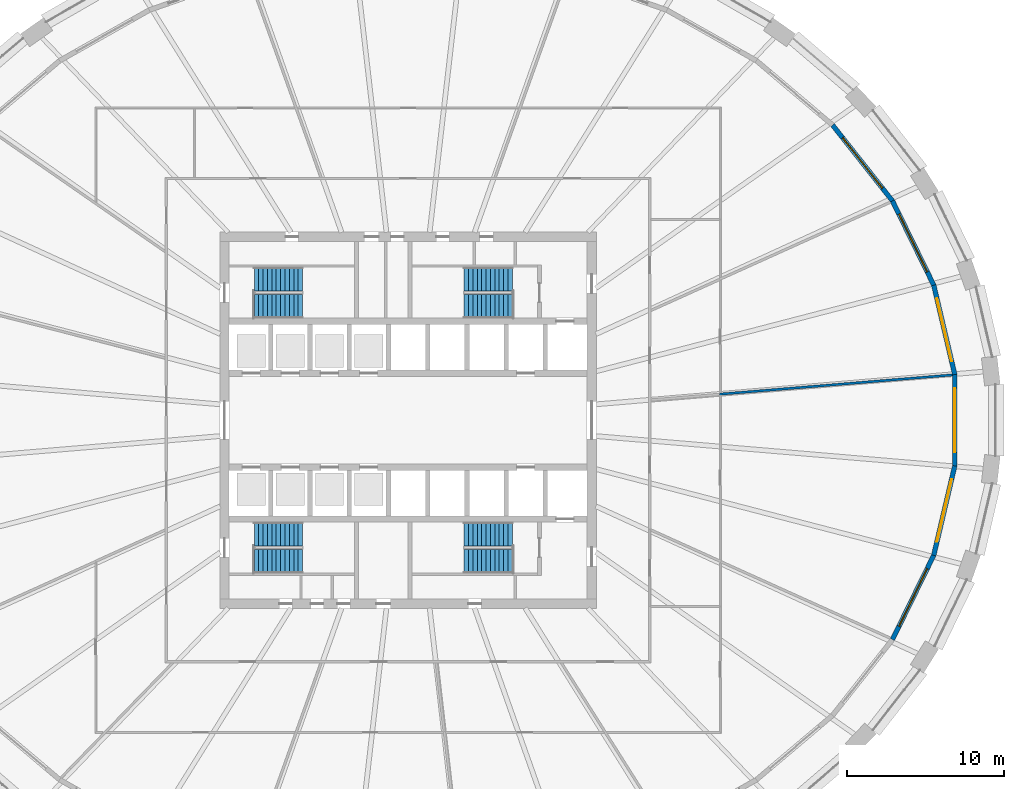
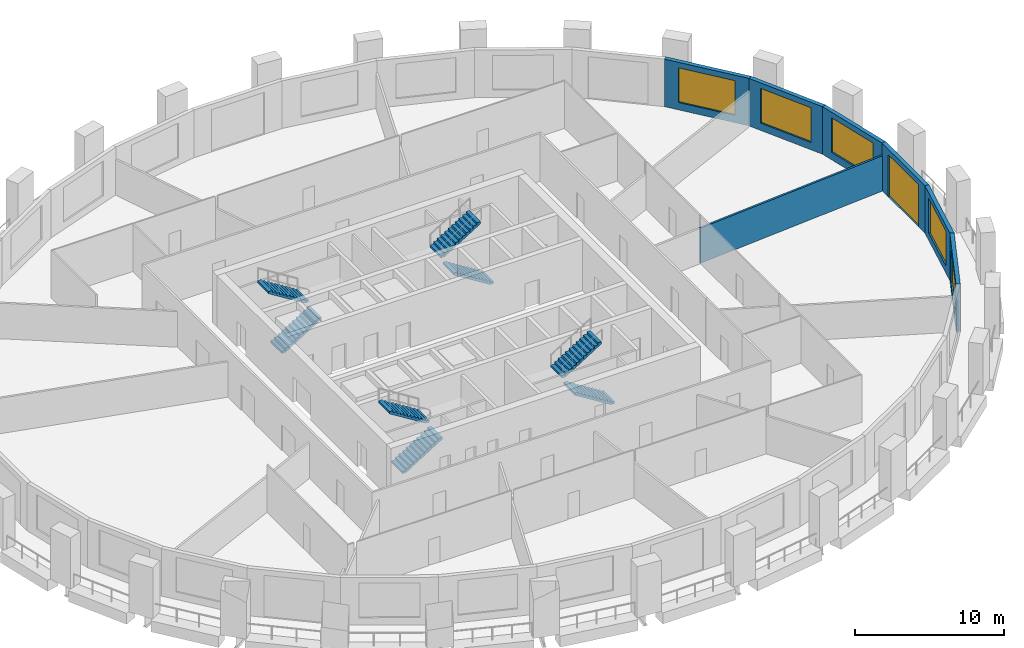
# One storey, part 8 of 11: 8 stair flights, 7 walls, 5 windows, 1 door, 6 openings, 4 elements without a shape of their own.
"""IFC4 building model written with IfcOpenShell, lengths in metres."""

from ifc_helpers import new_model, si_unit, direction, frame, frame_2d, origin, place, context, subcontext, project, spatial, polyline, rectangle, outline, extrude, material, layer, layer_set, type_object, element, fill, aggregate, save


model = new_model("IFC4")

# Units and contexts
model_context = context("Model", 3, precision=1e-05, world=origin(), true_north=direction((0.0, 1.0)))
body_context = subcontext(model_context, "Body", "Model", "MODEL_VIEW")
ifc_project = project(units=[si_unit("LENGTHUNIT", "METRE"), si_unit("AREAUNIT", "SQUARE_METRE"), si_unit("VOLUMEUNIT", "CUBIC_METRE"), si_unit("PLANEANGLEUNIT", "RADIAN"), si_unit("MASSUNIT", "GRAM", prefix="KILO")], contexts=[model_context])

# Site, building, storey
site_placement = place(None, origin())
site = spatial("IfcSite", under=ifc_project, at=site_placement, CompositionType="ELEMENT")
building_placement = place(site_placement, origin())
building = spatial("IfcBuilding", under=site, at=building_placement, Name="Halqa Exchange Tower", CompositionType="ELEMENT")
storey_placement = place(building_placement, frame((0.0, 0.0, 44.5)))
storey = spatial("IfcBuildingStorey", under=building, at=storey_placement, Name="L09", CompositionType="ELEMENT", Elevation=44.5)

# Wall
ifc_material_1 = material(Name="Fire-rated gypsum board")
ifc_layer_1 = layer(ifc_material_1, 0.14990234375)
ifc_layer_set_1 = layer_set([ifc_layer_1], Name="Fire-rated gypsum board")
wall_type_1 = type_object("IfcWallType", Name="Fire partition EI 60 150", PredefinedType="PARTITIONING", material=ifc_layer_set_1)
wall_1_placement = place(storey_placement, frame((19.85009765625, 1.656005859375, 0.0), z_axis=(0.0, 0.0, 1.0), x_axis=(0.996587936268, 0.082537780956, 0.0)))
element("IfcWall", 1, at=wall_1_placement, inside=storey, type_object=wall_type_1, Name="L09-PWL-036", PredefinedType="PARTITIONING", context=body_context, shape_type="SweptSolid", body=[
    extrude(outline(polyline([(14.88427734375, -0.074951171875), (14.88427734375, 0.0498046875), (14.880615234375, 0.074951171875), (13.0205078125, 0.074951171875), (11.160400390625, 0.074951171875), (9.30029296875, 0.074951171875), (7.440185546875, 0.074951171875), (5.580078125, 0.074951171875), (3.72021484375, 0.074951171875), (1.860107421875, 0.074951171875), (0.0, 0.074951171875), (0.0, -0.067626953125), (0.087158203125, -0.074951171875), (1.936767578125, -0.074951171875), (3.786376953125, -0.074951171875), (5.635986328125, -0.074951171875), (7.485595703125, -0.074951171875), (9.33544921875, -0.074951171875), (11.18505859375, -0.074951171875), (13.03466796875, -0.074951171875), (14.88427734375, -0.074951171875)])), origin(), (0.0, 0.0, 1.0), 2.89208984375),
])

# Wall, opening, window
ifc_material_2 = material(Name="Limestone cladding", Category="masonry")
ifc_layer_2 = layer(ifc_material_2, 0.0400390625)
ifc_material_3 = material(Name="Ventilated cavity")
ifc_layer_3 = layer(ifc_material_3, 0.030029296875, ventilated=True)
ifc_material_4 = material(Name="Mineral wool insulation")
ifc_layer_4 = layer(ifc_material_4, 0.10009765625)
ifc_material_5 = material(Name="Concrete C30/37", Category="concrete")
ifc_layer_5 = layer(ifc_material_5, 0.10009765625)
ifc_material_6 = material(Name="Internal plaster")
ifc_layer_6 = layer(ifc_material_6, 0.030029296875)
ifc_layer_set_2 = layer_set([ifc_layer_2, ifc_layer_3, ifc_layer_4, ifc_layer_5, ifc_layer_6], Name="Stone-faced insulated wall 300")
wall_type_2 = type_object("IfcWallType", Name="Stone-faced insulated wall 300", PredefinedType="STANDARD", material=ifc_layer_set_2)
wall_2_placement = place(storey_placement, frame((34.840087890625, 2.90673828125, 0.0), z_axis=(0.0, 0.0, 1.0), x_axis=(-0.228976600496, 0.97343192696, 0.0)))
wall_2 = element("IfcWall", 2, at=wall_2_placement, inside=storey, type_object=wall_type_2, Name="Glass-line wall 1", PredefinedType="STANDARD", context=body_context, shape_type="SweptSolid", body=[
    extrude(outline(polyline([(-0.017333984375, -0.14990234375), (5.87353515625, -0.14990234375), (5.83984375, 0.14990234375), (0.017333984375, 0.14990234375), (-0.017333984375, -0.14990234375)])), origin(), (0.0, 0.0, 1.0), 3.89990234375),
])
opening_1_placement = place(wall_2_placement, frame((0.87841796875, 0.0, 0.60009765625)))
opening_1 = element("IfcOpeningElement", 3, at=opening_1_placement, cuts=wall_2, Name="Opening W-F1-01", PredefinedType="OPENING", context=body_context, shape_type="SweptSolid", body=[
    extrude(rectangle(XDim=4.10009765625, YDim=2.85009765625, at=frame_2d((2.050048828125, 1.425048828125))), frame((0.0, 0.162109375, 0.0), z_axis=(0.0, -1.0, 0.0), x_axis=(1.0, 0.0, 0.0)), (0.0, 0.0, 1.0), 0.323974609375),
])
ifc_material_7 = material(Name="Clear low-emissivity glass in aluminium frame", Category="aluminium")
window_type = type_object("IfcWindowType", Name="Fixed clear glazed window 4100 x 2850", PartitioningType="TRIPLE_PANEL_VERTICAL", PredefinedType="WINDOW", material=ifc_material_7)
window_1_placement = place(opening_1_placement, origin())
window_1 = element("IfcWindow", 4, at=window_1_placement, inside=storey, type_object=window_type, Name="Window 1", OverallHeight=2.85009765625, OverallWidth=4.10009765625, PartitioningType="TRIPLE_PANEL_VERTICAL", PredefinedType="WINDOW", context=body_context, shape_type="SweptSolid", body=[
    extrude(rectangle(XDim=4.10009765625, YDim=2.85009765625, at=frame_2d((2.050048828125, 1.425048828125))), frame((0.0, 0.030029296875, 0.0), z_axis=(0.0, -1.0, 0.0), x_axis=(1.0, 0.0, 0.0)), (0.0, 0.0, 1.0), 0.06005859375),
])
fill(opening_1, window_1)

wall_3_placement = place(storey_placement, frame((33.4990234375, 8.60791015625, 0.0), z_axis=(0.0, 0.0, 1.0), x_axis=(-0.439896354052, 0.898048549741, 0.0)))
wall_3 = element("IfcWall", 5, at=wall_3_placement, inside=storey, type_object=wall_type_2, Name="Glass-line wall 2", PredefinedType="STANDARD", context=body_context, shape_type="SweptSolid", body=[
    extrude(outline(polyline([(-0.016845703125, -0.14990234375), (5.993896484375, -0.14990234375), (5.961669921875, 0.14990234375), (0.016845703125, 0.14990234375), (-0.016845703125, -0.14990234375)])), origin(), (0.0, 0.0, 1.0), 3.89990234375),
])
opening_2_placement = place(wall_3_placement, frame((0.93896484375, 0.0, 0.60009765625)))
opening_2 = element("IfcOpeningElement", 6, at=opening_2_placement, cuts=wall_3, Name="Opening W-F1-02", PredefinedType="OPENING", context=body_context, shape_type="SweptSolid", body=[
    extrude(rectangle(XDim=4.10009765625, YDim=2.85009765625, at=frame_2d((2.050048828125, 1.425048828125))), frame((0.0, 0.162109375, 0.0), z_axis=(0.0, -1.0, 0.0), x_axis=(1.0, 0.0, 0.0)), (0.0, 0.0, 1.0), 0.323974609375),
])
window_2_placement = place(opening_2_placement, origin())
window_2 = element("IfcWindow", 7, at=window_2_placement, inside=storey, type_object=window_type, Name="Window 1", OverallHeight=2.85009765625, OverallWidth=4.10009765625, PartitioningType="TRIPLE_PANEL_VERTICAL", PredefinedType="WINDOW", context=body_context, shape_type="SweptSolid", body=[
    extrude(rectangle(XDim=4.10009765625, YDim=2.85009765625, at=frame_2d((2.050048828125, 1.425048828125))), frame((0.0, 0.030029296875, 0.0), z_axis=(0.0, -1.0, 0.0), x_axis=(1.0, 0.0, 0.0)), (0.0, 0.0, 1.0), 0.06005859375),
])
fill(opening_2, window_2)

wall_4_placement = place(storey_placement, frame((30.869384765625, 13.976318359375, 0.0), z_axis=(0.0, 0.0, 1.0), x_axis=(-0.61992334328, 0.784662378642, 0.0)))
wall_4 = element("IfcWall", 8, at=wall_4_placement, inside=storey, type_object=wall_type_2, Name="Glass-line wall 3", PredefinedType="STANDARD", context=body_context, shape_type="SweptSolid", body=[
    extrude(outline(polyline([(-0.01611328125, -0.14990234375), (6.169921875, -0.14990234375), (6.1396484375, 0.14990234375), (0.01611328125, 0.14990234375), (-0.01611328125, -0.14990234375)])), origin(), (0.0, 0.0, 1.0), 3.89990234375),
])
opening_3_placement = place(wall_4_placement, frame((1.02734375, 0.0, 0.60009765625)))
opening_3 = element("IfcOpeningElement", 9, at=opening_3_placement, cuts=wall_4, Name="Opening W-F1-03", PredefinedType="OPENING", context=body_context, shape_type="SweptSolid", body=[
    extrude(rectangle(XDim=4.10009765625, YDim=2.85009765625, at=frame_2d((2.050048828125, 1.425048828125))), frame((0.0, 0.162109375, 0.0), z_axis=(0.0, -1.0, 0.0), x_axis=(1.0, 0.0, 0.0)), (0.0, 0.0, 1.0), 0.323974609375),
])
window_3_placement = place(opening_3_placement, origin())
window_3 = element("IfcWindow", 10, at=window_3_placement, inside=storey, type_object=window_type, Name="Window 1", OverallHeight=2.85009765625, OverallWidth=4.10009765625, PartitioningType="TRIPLE_PANEL_VERTICAL", PredefinedType="WINDOW", context=body_context, shape_type="SweptSolid", body=[
    extrude(rectangle(XDim=4.10009765625, YDim=2.85009765625, at=frame_2d((2.050048828125, 1.425048828125))), frame((0.0, 0.030029296875, 0.0), z_axis=(0.0, -1.0, 0.0), x_axis=(1.0, 0.0, 0.0)), (0.0, 0.0, 1.0), 0.06005859375),
])
fill(opening_3, window_3)

wall_5_placement = place(storey_placement, frame((30.869384765625, -13.976318359375, 0.0), z_axis=(0.0, 0.0, 1.0), x_axis=(0.439896354052, 0.898048549741, 0.0)))
wall_5 = element("IfcWall", 11, at=wall_5_placement, inside=storey, type_object=wall_type_2, Name="Glass-line wall 30", PredefinedType="STANDARD", context=body_context, shape_type="SweptSolid", body=[
    extrude(outline(polyline([(-0.01611328125, -0.14990234375), (5.99462890625, -0.14990234375), (5.9609375, 0.14990234375), (0.01611328125, 0.14990234375), (-0.01611328125, -0.14990234375)])), origin(), (0.0, 0.0, 1.0), 3.89990234375),
])
opening_4_placement = place(wall_5_placement, frame((0.93896484375, 0.0, 0.60009765625)))
opening_4 = element("IfcOpeningElement", 12, at=opening_4_placement, cuts=wall_5, Name="Opening W-F1-30", PredefinedType="OPENING", context=body_context, shape_type="SweptSolid", body=[
    extrude(rectangle(XDim=4.10009765625, YDim=2.85009765625, at=frame_2d((2.050048828125, 1.425048828125))), frame((0.0, 0.162109375, 0.0), z_axis=(0.0, -1.0, 0.0), x_axis=(1.0, 0.0, 0.0)), (0.0, 0.0, 1.0), 0.323974609375),
])
window_4_placement = place(opening_4_placement, origin())
window_4 = element("IfcWindow", 13, at=window_4_placement, inside=storey, type_object=window_type, Name="Window 1", OverallHeight=2.85009765625, OverallWidth=4.10009765625, PartitioningType="TRIPLE_PANEL_VERTICAL", PredefinedType="WINDOW", context=body_context, shape_type="SweptSolid", body=[
    extrude(rectangle(XDim=4.10009765625, YDim=2.85009765625, at=frame_2d((2.050048828125, 1.425048828125))), frame((0.0, 0.030029296875, 0.0), z_axis=(0.0, -1.0, 0.0), x_axis=(1.0, 0.0, 0.0)), (0.0, 0.0, 1.0), 0.06005859375),
])
fill(opening_4, window_4)

wall_6_placement = place(storey_placement, frame((33.4990234375, -8.60791015625, 0.0), z_axis=(0.0, 0.0, 1.0), x_axis=(0.228976600496, 0.97343192696, 0.0)))
wall_6 = element("IfcWall", 14, at=wall_6_placement, inside=storey, type_object=wall_type_2, Name="Glass-line wall 31", PredefinedType="STANDARD", context=body_context, shape_type="SweptSolid", body=[
    extrude(outline(polyline([(-0.016845703125, -0.14990234375), (5.8740234375, -0.14990234375), (5.83935546875, 0.14990234375), (0.016845703125, 0.14990234375), (-0.016845703125, -0.14990234375)])), origin(), (0.0, 0.0, 1.0), 3.89990234375),
])
opening_5_placement = place(wall_6_placement, frame((0.87841796875, 0.0, 0.60009765625)))
opening_5 = element("IfcOpeningElement", 15, at=opening_5_placement, cuts=wall_6, Name="Opening W-F1-31", PredefinedType="OPENING", context=body_context, shape_type="SweptSolid", body=[
    extrude(rectangle(XDim=4.10009765625, YDim=2.85009765625, at=frame_2d((2.050048828125, 1.425048828125))), frame((0.0, 0.162109375, 0.0), z_axis=(0.0, -1.0, 0.0), x_axis=(1.0, 0.0, 0.0)), (0.0, 0.0, 1.0), 0.323974609375),
])
window_5_placement = place(opening_5_placement, origin())
window_5 = element("IfcWindow", 16, at=window_5_placement, inside=storey, type_object=window_type, Name="Window 1", OverallHeight=2.85009765625, OverallWidth=4.10009765625, PartitioningType="TRIPLE_PANEL_VERTICAL", PredefinedType="WINDOW", context=body_context, shape_type="SweptSolid", body=[
    extrude(rectangle(XDim=4.10009765625, YDim=2.85009765625, at=frame_2d((2.050048828125, 1.425048828125))), frame((0.0, 0.030029296875, 0.0), z_axis=(0.0, -1.0, 0.0), x_axis=(1.0, 0.0, 0.0)), (0.0, 0.0, 1.0), 0.06005859375),
])
fill(opening_5, window_5)

# Wall, opening, door
wall_7_placement = place(storey_placement, frame((34.840087890625, -2.90673828125, 0.0), z_axis=(0.0, 0.0, 1.0), x_axis=(0.0, 1.0, 0.0)))
wall_7 = element("IfcWall", 17, at=wall_7_placement, inside=storey, type_object=wall_type_2, Name="Glass-line wall 32", PredefinedType="STANDARD", context=body_context, shape_type="SweptSolid", body=[
    extrude(outline(polyline([(-0.017333984375, -0.14990234375), (5.830810546875, -0.14990234375), (5.796142578125, 0.14990234375), (0.017333984375, 0.14990234375), (-0.017333984375, -0.14990234375)])), origin(), (0.0, 0.0, 1.0), 3.89990234375),
])
opening_6_placement = place(wall_7_placement, frame((0.856689453125, 0.0, 0.0)))
opening_6 = element("IfcOpeningElement", 18, at=opening_6_placement, cuts=wall_7, Name="Opening LG-F1-08", PredefinedType="OPENING", context=body_context, shape_type="SweptSolid", body=[
    extrude(rectangle(XDim=4.10009765625, YDim=3.449951171875, at=frame_2d((2.050048828125, 1.72509765625))), frame((0.0, 0.162109375, 0.0), z_axis=(0.0, -1.0, 0.0), x_axis=(1.0, 0.0, 0.0)), (0.0, 0.0, 1.0), 0.323974609375),
])
door_type = type_object("IfcDoorType", Name="Glazed sliding loggia door 4100 x 3450", OperationType="DOUBLE_DOOR_SLIDING", PredefinedType="DOOR", material=ifc_material_7)
door_placement = place(opening_6_placement, origin())
door = element("IfcDoor", 19, at=door_placement, inside=storey, type_object=door_type, Name="Loggia door 8", OperationType="DOUBLE_DOOR_SLIDING", OverallHeight=3.449951171875, OverallWidth=4.10009765625, PredefinedType="DOOR", context=body_context, shape_type="SweptSolid", body=[
    extrude(rectangle(XDim=4.10009765625, YDim=3.449951171875, at=frame_2d((2.050048828125, 1.72509765625))), frame((0.0, 0.02490234375, 0.0), z_axis=(0.0, -1.0, 0.0), x_axis=(1.0, 0.0, 0.0)), (0.0, 0.0, 1.0), 0.050048828125),
])
fill(opening_6, door)

# Stair, stair flights
stair_type = type_object("IfcStairType", Name="Exit stair 1500 wide", PredefinedType="HALF_TURN_STAIR", material=ifc_material_5)
stair_1_placement = place(storey_placement, origin())
stair_1 = element("IfcStair", 20, at=stair_1_placement, inside=storey, type_object=stair_type, Name="Exit stair ST1", PredefinedType="HALF_TURN_STAIR")
stair_flight_type = type_object("IfcStairFlightType", Name="Stair flight 1500 wide", PredefinedType="STRAIGHT", material=ifc_material_5)
stair_flight_1_placement = place(storey_placement, frame((-9.800048828125, 7.25, 0.0), z_axis=(0.0, 0.0, 1.0), x_axis=(1.0, 0.0, 0.0)))
stair_flight_1 = element("IfcStairFlight", 21, at=stair_flight_1_placement, type_object=stair_flight_type, Name="ST1 flight 1", NumberOfRisers=12, NumberOfTreads=11, PredefinedType="STRAIGHT", RiserHeight=0.175, TreadLength=0.28, context=body_context, shape_type="SweptSolid", body=[
    extrude(outline(polyline([(0.0, 0.0), (0.0, 0.175048828125), (0.280029296875, 0.175048828125), (0.280029296875, 0.35009765625), (0.56005859375, 0.35009765625), (0.56005859375, 0.52490234375), (0.840087890625, 0.52490234375), (0.840087890625, 0.699951171875), (1.1201171875, 0.699951171875), (1.1201171875, 0.875), (1.39990234375, 0.875), (1.39990234375, 1.050048828125), (1.679931640625, 1.050048828125), (1.679931640625, 1.22509765625), (1.9599609375, 1.22509765625), (1.9599609375, 1.39990234375), (2.239990234375, 1.39990234375), (2.239990234375, 1.574951171875), (2.52001953125, 1.574951171875), (2.52001953125, 1.75), (2.800048828125, 1.75), (2.800048828125, 1.925048828125), (3.080078125, 1.925048828125), (3.080078125, 2.10009765625), (3.080078125, 1.748291015625), (0.28271484375, 0.0), (0.0, 0.0)])), frame((0.0, 0.75, 0.0), z_axis=(0.0, -1.0, 0.0), x_axis=(1.0, 0.0, 0.0)), (0.0, 0.0, 1.0), 1.5),
])
stair_flight_2_placement = place(storey_placement, frame((-6.719970703125, 9.0, 2.10009765625), z_axis=(0.0, 0.0, 1.0), x_axis=(-1.0, 0.0, 0.0)))
stair_flight_2 = element("IfcStairFlight", 22, at=stair_flight_2_placement, type_object=stair_flight_type, Name="ST1 flight 2", NumberOfRisers=12, NumberOfTreads=11, PredefinedType="STRAIGHT", RiserHeight=0.175, TreadLength=0.28, context=body_context, shape_type="SweptSolid", body=[
    extrude(outline(polyline([(0.0, 0.0), (0.0, 0.175048828125), (0.280029296875, 0.175048828125), (0.280029296875, 0.35009765625), (0.56005859375, 0.35009765625), (0.56005859375, 0.52490234375), (0.840087890625, 0.52490234375), (0.840087890625, 0.699951171875), (1.1201171875, 0.699951171875), (1.1201171875, 0.875), (1.39990234375, 0.875), (1.39990234375, 1.050048828125), (1.679931640625, 1.050048828125), (1.679931640625, 1.22509765625), (1.9599609375, 1.22509765625), (1.9599609375, 1.39990234375), (2.239990234375, 1.39990234375), (2.239990234375, 1.574951171875), (2.52001953125, 1.574951171875), (2.52001953125, 1.75), (2.800048828125, 1.75), (2.800048828125, 1.925048828125), (3.080078125, 1.925048828125), (3.080078125, 2.10009765625), (3.080078125, 1.748291015625), (0.28271484375, 0.0), (0.0, 0.0)])), frame((0.0, 0.75, 0.0), z_axis=(0.0, -1.0, 0.0), x_axis=(1.0, 0.0, 0.0)), (0.0, 0.0, 1.0), 1.5),
])
aggregate(stair_1, [stair_flight_1, stair_flight_2])

stair_2_placement = place(storey_placement, origin())
stair_2 = element("IfcStair", 23, at=stair_2_placement, inside=storey, type_object=stair_type, Name="Exit stair ST2", PredefinedType="HALF_TURN_STAIR")
stair_flight_3_placement = place(storey_placement, frame((6.64990234375, 7.25, 0.0), z_axis=(0.0, 0.0, 1.0), x_axis=(-1.0, 0.0, 0.0)))
stair_flight_3 = element("IfcStairFlight", 24, at=stair_flight_3_placement, type_object=stair_flight_type, Name="ST2 flight 1", NumberOfRisers=12, NumberOfTreads=11, PredefinedType="STRAIGHT", RiserHeight=0.175, TreadLength=0.28, context=body_context, shape_type="SweptSolid", body=[
    extrude(outline(polyline([(0.0, 0.0), (0.0, 0.175048828125), (0.280029296875, 0.175048828125), (0.280029296875, 0.35009765625), (0.56005859375, 0.35009765625), (0.56005859375, 0.52490234375), (0.840087890625, 0.52490234375), (0.840087890625, 0.699951171875), (1.1201171875, 0.699951171875), (1.1201171875, 0.875), (1.39990234375, 0.875), (1.39990234375, 1.050048828125), (1.679931640625, 1.050048828125), (1.679931640625, 1.22509765625), (1.9599609375, 1.22509765625), (1.9599609375, 1.39990234375), (2.239990234375, 1.39990234375), (2.239990234375, 1.574951171875), (2.52001953125, 1.574951171875), (2.52001953125, 1.75), (2.800048828125, 1.75), (2.800048828125, 1.925048828125), (3.080078125, 1.925048828125), (3.080078125, 2.10009765625), (3.080078125, 1.748291015625), (0.28271484375, 0.0), (0.0, 0.0)])), frame((0.0, 0.75, 0.0), z_axis=(0.0, -1.0, 0.0), x_axis=(1.0, 0.0, 0.0)), (0.0, 0.0, 1.0), 1.5),
])
stair_flight_4_placement = place(storey_placement, frame((3.570068359375, 9.0, 2.10009765625), z_axis=(0.0, 0.0, 1.0), x_axis=(1.0, 0.0, 0.0)))
stair_flight_4 = element("IfcStairFlight", 25, at=stair_flight_4_placement, type_object=stair_flight_type, Name="ST2 flight 2", NumberOfRisers=12, NumberOfTreads=11, PredefinedType="STRAIGHT", RiserHeight=0.175, TreadLength=0.28, context=body_context, shape_type="SweptSolid", body=[
    extrude(outline(polyline([(0.0, 0.0), (0.0, 0.175048828125), (0.280029296875, 0.175048828125), (0.280029296875, 0.35009765625), (0.56005859375, 0.35009765625), (0.56005859375, 0.52490234375), (0.840087890625, 0.52490234375), (0.840087890625, 0.699951171875), (1.1201171875, 0.699951171875), (1.1201171875, 0.875), (1.39990234375, 0.875), (1.39990234375, 1.050048828125), (1.679931640625, 1.050048828125), (1.679931640625, 1.22509765625), (1.9599609375, 1.22509765625), (1.9599609375, 1.39990234375), (2.239990234375, 1.39990234375), (2.239990234375, 1.574951171875), (2.52001953125, 1.574951171875), (2.52001953125, 1.75), (2.800048828125, 1.75), (2.800048828125, 1.925048828125), (3.080078125, 1.925048828125), (3.080078125, 2.10009765625), (3.080078125, 1.748291015625), (0.28271484375, 0.0), (0.0, 0.0)])), frame((0.0, 0.75, 0.0), z_axis=(0.0, -1.0, 0.0), x_axis=(1.0, 0.0, 0.0)), (0.0, 0.0, 1.0), 1.5),
])
aggregate(stair_2, [stair_flight_3, stair_flight_4])

stair_3_placement = place(storey_placement, origin())
stair_3 = element("IfcStair", 26, at=stair_3_placement, inside=storey, type_object=stair_type, Name="Exit stair ST3", PredefinedType="HALF_TURN_STAIR")
stair_flight_5_placement = place(storey_placement, frame((-9.800048828125, -9.0, 0.0), z_axis=(0.0, 0.0, 1.0), x_axis=(1.0, 0.0, 0.0)))
stair_flight_5 = element("IfcStairFlight", 27, at=stair_flight_5_placement, type_object=stair_flight_type, Name="ST3 flight 1", NumberOfRisers=12, NumberOfTreads=11, PredefinedType="STRAIGHT", RiserHeight=0.175, TreadLength=0.28, context=body_context, shape_type="SweptSolid", body=[
    extrude(outline(polyline([(0.0, 0.0), (0.0, 0.175048828125), (0.280029296875, 0.175048828125), (0.280029296875, 0.35009765625), (0.56005859375, 0.35009765625), (0.56005859375, 0.52490234375), (0.840087890625, 0.52490234375), (0.840087890625, 0.699951171875), (1.1201171875, 0.699951171875), (1.1201171875, 0.875), (1.39990234375, 0.875), (1.39990234375, 1.050048828125), (1.679931640625, 1.050048828125), (1.679931640625, 1.22509765625), (1.9599609375, 1.22509765625), (1.9599609375, 1.39990234375), (2.239990234375, 1.39990234375), (2.239990234375, 1.574951171875), (2.52001953125, 1.574951171875), (2.52001953125, 1.75), (2.800048828125, 1.75), (2.800048828125, 1.925048828125), (3.080078125, 1.925048828125), (3.080078125, 2.10009765625), (3.080078125, 1.748291015625), (0.28271484375, 0.0), (0.0, 0.0)])), frame((0.0, 0.75, 0.0), z_axis=(0.0, -1.0, 0.0), x_axis=(1.0, 0.0, 0.0)), (0.0, 0.0, 1.0), 1.5),
])
stair_flight_6_placement = place(storey_placement, frame((-6.719970703125, -7.25, 2.10009765625), z_axis=(0.0, 0.0, 1.0), x_axis=(-1.0, 0.0, 0.0)))
stair_flight_6 = element("IfcStairFlight", 28, at=stair_flight_6_placement, type_object=stair_flight_type, Name="ST3 flight 2", NumberOfRisers=12, NumberOfTreads=11, PredefinedType="STRAIGHT", RiserHeight=0.175, TreadLength=0.28, context=body_context, shape_type="SweptSolid", body=[
    extrude(outline(polyline([(0.0, 0.0), (0.0, 0.175048828125), (0.280029296875, 0.175048828125), (0.280029296875, 0.35009765625), (0.56005859375, 0.35009765625), (0.56005859375, 0.52490234375), (0.840087890625, 0.52490234375), (0.840087890625, 0.699951171875), (1.1201171875, 0.699951171875), (1.1201171875, 0.875), (1.39990234375, 0.875), (1.39990234375, 1.050048828125), (1.679931640625, 1.050048828125), (1.679931640625, 1.22509765625), (1.9599609375, 1.22509765625), (1.9599609375, 1.39990234375), (2.239990234375, 1.39990234375), (2.239990234375, 1.574951171875), (2.52001953125, 1.574951171875), (2.52001953125, 1.75), (2.800048828125, 1.75), (2.800048828125, 1.925048828125), (3.080078125, 1.925048828125), (3.080078125, 2.10009765625), (3.080078125, 1.748291015625), (0.28271484375, 0.0), (0.0, 0.0)])), frame((0.0, 0.75, 0.0), z_axis=(0.0, -1.0, 0.0), x_axis=(1.0, 0.0, 0.0)), (0.0, 0.0, 1.0), 1.5),
])
aggregate(stair_3, [stair_flight_5, stair_flight_6])

stair_4_placement = place(storey_placement, origin())
stair_4 = element("IfcStair", 29, at=stair_4_placement, inside=storey, type_object=stair_type, Name="Exit stair ST4", PredefinedType="HALF_TURN_STAIR")
stair_flight_7_placement = place(storey_placement, frame((6.64990234375, -9.0, 0.0), z_axis=(0.0, 0.0, 1.0), x_axis=(-1.0, 0.0, 0.0)))
stair_flight_7 = element("IfcStairFlight", 30, at=stair_flight_7_placement, type_object=stair_flight_type, Name="ST4 flight 1", NumberOfRisers=12, NumberOfTreads=11, PredefinedType="STRAIGHT", RiserHeight=0.175, TreadLength=0.28, context=body_context, shape_type="SweptSolid", body=[
    extrude(outline(polyline([(0.0, 0.0), (0.0, 0.175048828125), (0.280029296875, 0.175048828125), (0.280029296875, 0.35009765625), (0.56005859375, 0.35009765625), (0.56005859375, 0.52490234375), (0.840087890625, 0.52490234375), (0.840087890625, 0.699951171875), (1.1201171875, 0.699951171875), (1.1201171875, 0.875), (1.39990234375, 0.875), (1.39990234375, 1.050048828125), (1.679931640625, 1.050048828125), (1.679931640625, 1.22509765625), (1.9599609375, 1.22509765625), (1.9599609375, 1.39990234375), (2.239990234375, 1.39990234375), (2.239990234375, 1.574951171875), (2.52001953125, 1.574951171875), (2.52001953125, 1.75), (2.800048828125, 1.75), (2.800048828125, 1.925048828125), (3.080078125, 1.925048828125), (3.080078125, 2.10009765625), (3.080078125, 1.748291015625), (0.28271484375, 0.0), (0.0, 0.0)])), frame((0.0, 0.75, 0.0), z_axis=(0.0, -1.0, 0.0), x_axis=(1.0, 0.0, 0.0)), (0.0, 0.0, 1.0), 1.5),
])
stair_flight_8_placement = place(storey_placement, frame((3.570068359375, -7.25, 2.10009765625), z_axis=(0.0, 0.0, 1.0), x_axis=(1.0, 0.0, 0.0)))
stair_flight_8 = element("IfcStairFlight", 31, at=stair_flight_8_placement, type_object=stair_flight_type, Name="ST4 flight 2", NumberOfRisers=12, NumberOfTreads=11, PredefinedType="STRAIGHT", RiserHeight=0.175, TreadLength=0.28, context=body_context, shape_type="SweptSolid", body=[
    extrude(outline(polyline([(0.0, 0.0), (0.0, 0.175048828125), (0.280029296875, 0.175048828125), (0.280029296875, 0.35009765625), (0.56005859375, 0.35009765625), (0.56005859375, 0.52490234375), (0.840087890625, 0.52490234375), (0.840087890625, 0.699951171875), (1.1201171875, 0.699951171875), (1.1201171875, 0.875), (1.39990234375, 0.875), (1.39990234375, 1.050048828125), (1.679931640625, 1.050048828125), (1.679931640625, 1.22509765625), (1.9599609375, 1.22509765625), (1.9599609375, 1.39990234375), (2.239990234375, 1.39990234375), (2.239990234375, 1.574951171875), (2.52001953125, 1.574951171875), (2.52001953125, 1.75), (2.800048828125, 1.75), (2.800048828125, 1.925048828125), (3.080078125, 1.925048828125), (3.080078125, 2.10009765625), (3.080078125, 1.748291015625), (0.28271484375, 0.0), (0.0, 0.0)])), frame((0.0, 0.75, 0.0), z_axis=(0.0, -1.0, 0.0), x_axis=(1.0, 0.0, 0.0)), (0.0, 0.0, 1.0), 1.5),
])
aggregate(stair_4, [stair_flight_7, stair_flight_8])

save(model, "model.ifc")
